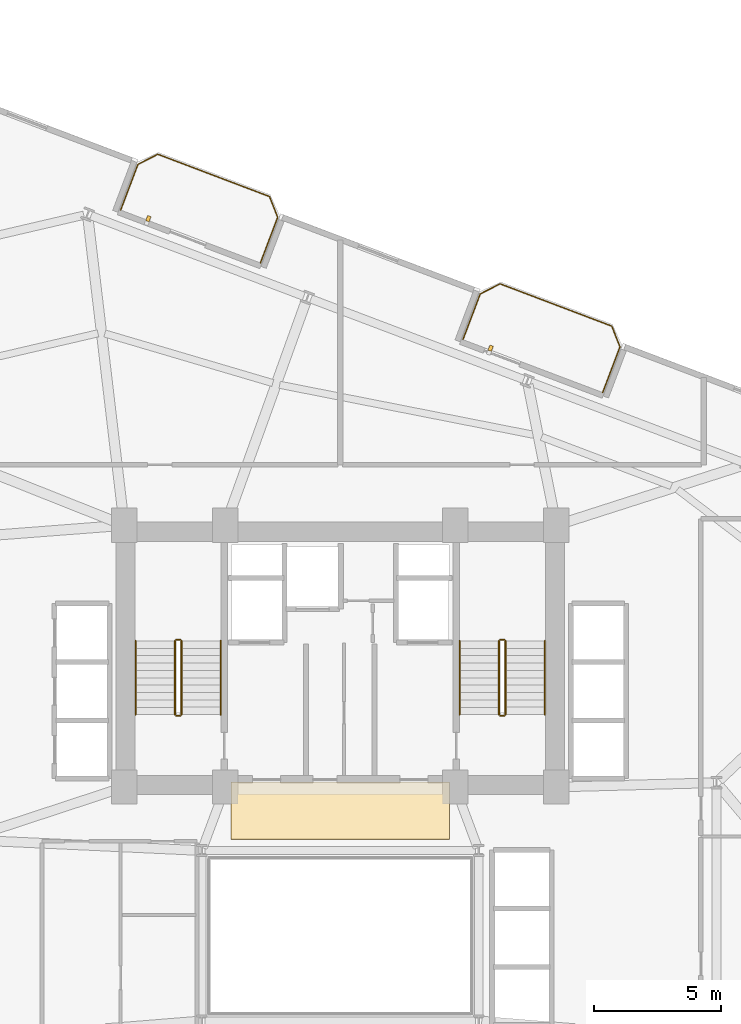
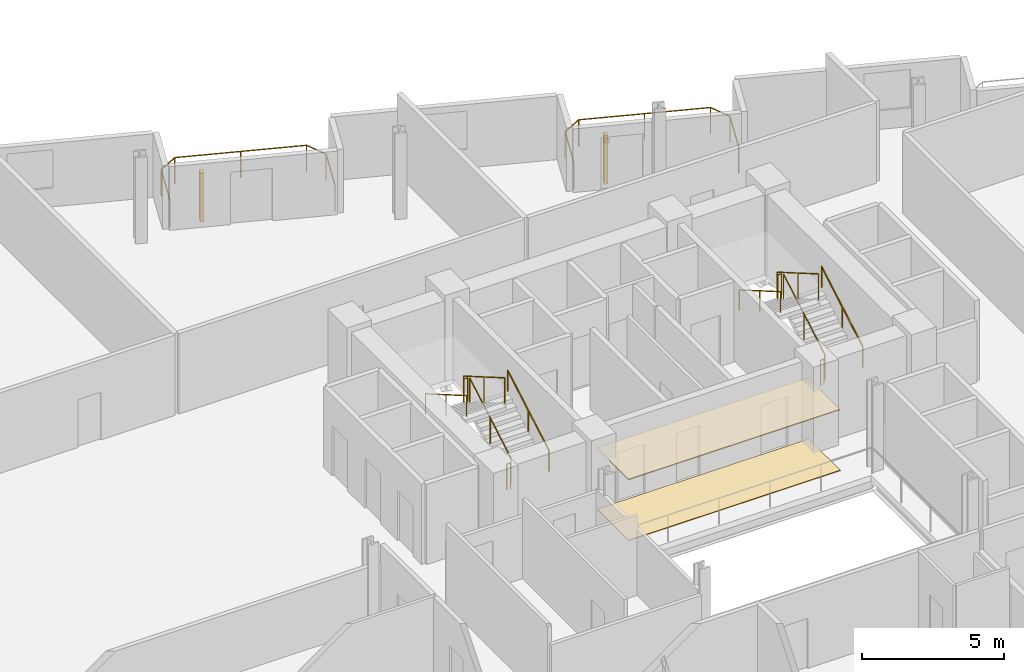
# One storey, part 24 of 25: 14 railings, 2 coverings, 2 shading devices.
"""IFC4 building model written with IfcOpenShell, lengths in metres."""

from ifc_helpers import new_model, si_unit, direction, frame, origin, origin_2d, place, context, subcontext, project, spatial, rectangle, circle, extrude, source, transform, mapped, material, layer, layer_set, type_object, element, save


model = new_model("IFC4")

# Units and contexts
model_context = context("Model", 3, precision=1e-05, world=origin(), true_north=direction((0.0, 1.0)))
body_context = subcontext(model_context, "Body", "Model", "MODEL_VIEW")
ifc_project = project(units=[si_unit("LENGTHUNIT", "METRE"), si_unit("AREAUNIT", "SQUARE_METRE"), si_unit("VOLUMEUNIT", "CUBIC_METRE"), si_unit("PLANEANGLEUNIT", "RADIAN"), si_unit("MASSUNIT", "GRAM", prefix="KILO")], contexts=[model_context])

# Site, building, storey
site_placement = place(None, origin())
site = spatial("IfcSite", under=ifc_project, at=site_placement, CompositionType="ELEMENT")
building_placement = place(site_placement, origin())
building = spatial("IfcBuilding", under=site, at=building_placement, Name="Varnelok Gate Tower", CompositionType="ELEMENT")
storey_placement = place(building_placement, frame((0.0, 0.0, 76.199951171875)))
storey = spatial("IfcBuildingStorey", under=building, at=storey_placement, Name="L18", CompositionType="ELEMENT", Elevation=76.199951171875)

# Railings
ifc_material_1 = material(Name="Low-E Laminated Double Glazing IGU", Category="glass")
railing_type_1 = type_object("IfcRailingType", Name="RL-BALC-1150", PredefinedType="BALUSTRADE", material=ifc_material_1)
railing_1_placement = place(storey_placement, frame((30.560302734375, 51.453125, 0.0)))
element("IfcRailing", 1, at=railing_1_placement, inside=storey, type_object=railing_type_1, Name="L18 North Terrace Balustrade 4", PredefinedType="BALUSTRADE", context=body_context, shape_type="SweptSolid", body=[
    extrude(circle(Radius=0.02392578125, at=origin_2d()), frame((0.0, 0.0, 1.1259765625), z_axis=(0.354006333352, 0.935243025073, 0.0), x_axis=(-0.935243025073, 0.354006333352, 0.0)), (0.0, 0.0, 1.0), 1.919921875),
    extrude(circle(Radius=0.02392578125, at=origin_2d()), frame((0.6796875, 1.795654296875, 1.1259765625), z_axis=(0.89078254773, 0.454429810487, 0.0), x_axis=(-0.454429810487, 0.89078254773, 0.0)), (0.0, 0.0, 1.0), 0.8779296875),
    extrude(circle(Radius=0.02392578125, at=origin_2d()), frame((1.461669921875, 2.194580078125, 1.1259765625), z_axis=(0.935223045203, -0.354059113314, 0.0), x_axis=(0.354059113314, 0.935223045203, 0.0)), (0.0, 0.0, 1.0), 4.699951171875),
    extrude(circle(Radius=0.02392578125, at=origin_2d()), frame((5.857177734375, 0.530517578125, 1.1259765625), z_axis=(0.366349384437, -0.930477365938, 0.0), x_axis=(0.930477365938, 0.366349384437, 0.0)), (0.0, 0.0, 1.0), 0.877685546875),
    extrude(circle(Radius=0.02392578125, at=origin_2d()), frame((6.1787109375, -0.2861328125, 1.1259765625), z_axis=(-0.354006333352, -0.935243025073, 0.0), x_axis=(0.935243025073, -0.354006333352, 0.0)), (0.0, 0.0, 1.0), 1.919921875),
    extrude(circle(Radius=0.02099609375, at=origin_2d()), origin(), (0.0, 0.0, 1.0), 1.101806640625),
    extrude(circle(Radius=0.02099609375, at=origin_2d()), frame((0.6796875, 1.795654296875, 0.0)), (0.0, 0.0, 1.0), 1.101806640625),
    extrude(circle(Radius=0.02099609375, at=origin_2d()), frame((1.461669921875, 2.194580078125, 0.0)), (0.0, 0.0, 1.0), 1.101806640625),
    extrude(circle(Radius=0.02099609375, at=origin_2d()), frame((3.659423828125, 1.362548828125, 0.0)), (0.0, 0.0, 1.0), 1.101806640625),
    extrude(circle(Radius=0.02099609375, at=origin_2d()), frame((5.857177734375, 0.530517578125, 0.0)), (0.0, 0.0, 1.0), 1.101806640625),
    extrude(circle(Radius=0.02099609375, at=origin_2d()), frame((6.1787109375, -0.2861328125, 0.0)), (0.0, 0.0, 1.0), 1.101806640625),
    extrude(circle(Radius=0.02099609375, at=origin_2d()), frame((5.4990234375, -2.081787109375, 0.0)), (0.0, 0.0, 1.0), 1.101806640625),
])
railing_2_placement = place(storey_placement, frame((44.02734375, 46.354736328125, 0.0)))
element("IfcRailing", 2, at=railing_2_placement, inside=storey, type_object=railing_type_1, Name="L18 North Terrace Balustrade 5", PredefinedType="BALUSTRADE", context=body_context, shape_type="SweptSolid", body=[
    extrude(circle(Radius=0.02392578125, at=origin_2d()), frame((0.0, 0.0, 1.1259765625), z_axis=(0.354117547856, 0.935200920819, 0.0), x_axis=(-0.935200920819, 0.354117547856, 0.0)), (0.0, 0.0, 1.0), 1.920166015625),
    extrude(circle(Radius=0.02392578125, at=origin_2d()), frame((0.679931640625, 1.795654296875, 1.1259765625), z_axis=(0.890725095116, 0.454542412686, 0.0), x_axis=(-0.454542412686, 0.890725095116, 0.0)), (0.0, 0.0, 1.0), 0.877685546875),
    extrude(circle(Radius=0.02392578125, at=origin_2d()), frame((1.461669921875, 2.194580078125, 1.1259765625), z_axis=(0.935223045203, -0.354059113314, 0.0), x_axis=(0.354059113314, 0.935223045203, 0.0)), (0.0, 0.0, 1.0), 4.699951171875),
    extrude(circle(Radius=0.02392578125, at=origin_2d()), frame((5.857177734375, 0.530517578125, 1.1259765625), z_axis=(0.366495340819, -0.93041988648, 0.0), x_axis=(0.93041988648, 0.366495340819, 0.0)), (0.0, 0.0, 1.0), 0.8779296875),
    extrude(circle(Radius=0.02392578125, at=origin_2d()), frame((6.178955078125, -0.286376953125, 1.1259765625), z_axis=(-0.354006333352, -0.935243025073, 0.0), x_axis=(0.935243025073, -0.354006333352, 0.0)), (0.0, 0.0, 1.0), 1.919921875),
    extrude(circle(Radius=0.02099609375, at=origin_2d()), origin(), (0.0, 0.0, 1.0), 1.101806640625),
    extrude(circle(Radius=0.02099609375, at=origin_2d()), frame((0.679931640625, 1.795654296875, 0.0)), (0.0, 0.0, 1.0), 1.101806640625),
    extrude(circle(Radius=0.02099609375, at=origin_2d()), frame((1.461669921875, 2.194580078125, 0.0)), (0.0, 0.0, 1.0), 1.101806640625),
    extrude(circle(Radius=0.02099609375, at=origin_2d()), frame((3.659423828125, 1.362548828125, 0.0)), (0.0, 0.0, 1.0), 1.101806640625),
    extrude(circle(Radius=0.02099609375, at=origin_2d()), frame((5.857177734375, 0.530517578125, 0.0)), (0.0, 0.0, 1.0), 1.101806640625),
    extrude(circle(Radius=0.02099609375, at=origin_2d()), frame((6.178955078125, -0.286376953125, 0.0)), (0.0, 0.0, 1.0), 1.101806640625),
    extrude(circle(Radius=0.02099609375, at=origin_2d()), frame((5.499267578125, -2.08203125, 0.0)), (0.0, 0.0, 1.0), 1.101806640625),
])
ifc_material_2 = material(Name="Brushed Stainless Steel AISI 316", Category="steel")
railing_type_2 = type_object("IfcRailingType", Name="RL-HANDRAIL-900", PredefinedType="HANDRAIL", material=ifc_material_2)
railing_3_placement = place(storey_placement, frame((34.5, 31.60009765625, 0.168212890625)))
element("IfcRailing", 3, at=railing_3_placement, inside=storey, type_object=railing_type_2, Name="L18 ST-1 stair handrail 1", PredefinedType="HANDRAIL", context=body_context, shape_type="SweptSolid", body=[
    extrude(circle(Radius=0.02392578125, at=origin_2d()), frame((0.0, 0.0, 0.8759765625), z_axis=(0.0, 0.865038774852, 0.501705010941), x_axis=(-1.0, 0.0, 0.0)), (0.0, 0.0, 1.0), 3.352294921875),
    extrude(circle(Radius=0.02099609375, at=origin_2d()), origin(), (0.0, 0.0, 1.0), 0.851806640625),
    extrude(circle(Radius=0.02099609375, at=origin_2d()), frame((0.0, 1.449951171875, 0.8408203125)), (0.0, 0.0, 1.0), 0.851806640625),
    extrude(circle(Radius=0.02099609375, at=origin_2d()), frame((0.0, 2.89990234375, 1.681884765625)), (0.0, 0.0, 1.0), 0.851806640625),
])
railing_4_placement = place(storey_placement, frame((31.14990234375, 34.5, 2.018310546875)))
element("IfcRailing", 4, at=railing_4_placement, inside=storey, type_object=railing_type_2, Name="L18 ST-1 stair handrail 2", PredefinedType="HANDRAIL", context=body_context, shape_type="SweptSolid", body=[
    extrude(circle(Radius=0.02392578125, at=origin_2d()), frame((0.0, 0.0, 0.8759765625), z_axis=(0.0, -0.86507038078, 0.501650512107), x_axis=(1.0, 0.0, 0.0)), (0.0, 0.0, 1.0), 3.352294921875),
    extrude(circle(Radius=0.02099609375, at=origin_2d()), origin(), (0.0, 0.0, 1.0), 0.851806640625),
    extrude(circle(Radius=0.02099609375, at=origin_2d()), frame((0.0, -1.449951171875, 0.8408203125)), (0.0, 0.0, 1.0), 0.851806640625),
    extrude(circle(Radius=0.02099609375, at=origin_2d()), frame((0.0, -2.89990234375, 1.681640625)), (0.0, 0.0, 1.0), 0.851806640625),
])
railing_5_placement = place(storey_placement, frame((47.25, 31.60009765625, 0.168212890625)))
element("IfcRailing", 5, at=railing_5_placement, inside=storey, type_object=railing_type_2, Name="L18 ST-2 stair handrail 1", PredefinedType="HANDRAIL", context=body_context, shape_type="SweptSolid", body=[
    extrude(circle(Radius=0.02392578125, at=origin_2d()), frame((0.0, 0.0, 0.8759765625), z_axis=(0.0, 0.865038774852, 0.501705010941), x_axis=(-1.0, 0.0, 0.0)), (0.0, 0.0, 1.0), 3.352294921875),
    extrude(circle(Radius=0.02099609375, at=origin_2d()), origin(), (0.0, 0.0, 1.0), 0.851806640625),
    extrude(circle(Radius=0.02099609375, at=origin_2d()), frame((0.0, 1.449951171875, 0.8408203125)), (0.0, 0.0, 1.0), 0.851806640625),
    extrude(circle(Radius=0.02099609375, at=origin_2d()), frame((0.0, 2.89990234375, 1.681884765625)), (0.0, 0.0, 1.0), 0.851806640625),
])
railing_6_placement = place(storey_placement, frame((43.89990234375, 34.5, 2.018310546875)))
element("IfcRailing", 6, at=railing_6_placement, inside=storey, type_object=railing_type_2, Name="L18 ST-2 stair handrail 2", PredefinedType="HANDRAIL", context=body_context, shape_type="SweptSolid", body=[
    extrude(circle(Radius=0.02392578125, at=origin_2d()), frame((0.0, 0.0, 0.8759765625), z_axis=(0.0, -0.86507038078, 0.501650512107), x_axis=(1.0, 0.0, 0.0)), (0.0, 0.0, 1.0), 3.352294921875),
    extrude(circle(Radius=0.02099609375, at=origin_2d()), origin(), (0.0, 0.0, 1.0), 0.851806640625),
    extrude(circle(Radius=0.02099609375, at=origin_2d()), frame((0.0, -1.449951171875, 0.8408203125)), (0.0, 0.0, 1.0), 0.851806640625),
    extrude(circle(Radius=0.02099609375, at=origin_2d()), frame((0.0, -2.89990234375, 1.681640625)), (0.0, 0.0, 1.0), 0.851806640625),
])
ifc_material_3 = material(Name="Galvanized Steel Grade S350GD", Category="steel")
railing_type_3 = type_object("IfcRailingType", Name="RL-STAIR-GUARD1120", PredefinedType="GUARDRAIL", material=ifc_material_3)
railing_7_placement = place(storey_placement, frame((32.949951171875, 31.60009765625, 0.168212890625)))
element("IfcRailing", 7, at=railing_7_placement, inside=storey, type_object=railing_type_3, Name="L18 ST-1 stair guard 1", PredefinedType="GUARDRAIL", context=body_context, shape_type="SweptSolid", body=[
    extrude(circle(Radius=0.02392578125, at=origin_2d()), frame((0.0, 0.0, 1.09619140625), z_axis=(0.0, 0.865038774852, 0.501705010941), x_axis=(-1.0, 0.0, 0.0)), (0.0, 0.0, 1.0), 3.352294921875),
    extrude(circle(Radius=0.02099609375, at=origin_2d()), origin(), (0.0, 0.0, 1.0), 1.072021484375),
    extrude(circle(Radius=0.02099609375, at=origin_2d()), frame((0.0, 1.449951171875, 0.8408203125)), (0.0, 0.0, 1.0), 1.072021484375),
    extrude(circle(Radius=0.02099609375, at=origin_2d()), frame((0.0, 2.89990234375, 1.681884765625)), (0.0, 0.0, 1.0), 1.072021484375),
])
railing_8_placement = place(storey_placement, frame((32.89990234375, 34.550048828125, 1.85009765625)))
element("IfcRailing", 8, at=railing_8_placement, inside=storey, type_object=railing_type_3, Name="L18 ST-1 stair guard 2", PredefinedType="GUARDRAIL", context=body_context, shape_type="SweptSolid", body=[
    extrude(circle(Radius=0.02392578125, at=origin_2d()), frame((0.0, 0.0, 1.09619140625), z_axis=(-1.0, 0.0, 0.0), x_axis=(0.0, -1.0, 0.0)), (0.0, 0.0, 1.0), 0.14990234375),
    extrude(circle(Radius=0.02099609375, at=origin_2d()), origin(), (0.0, 0.0, 1.0), 1.072021484375),
    extrude(circle(Radius=0.02099609375, at=origin_2d()), frame((-0.14990234375, 0.0, 0.0)), (0.0, 0.0, 1.0), 1.072021484375),
])
railing_9_placement = place(storey_placement, frame((32.699951171875, 34.5, 2.018310546875)))
element("IfcRailing", 9, at=railing_9_placement, inside=storey, type_object=railing_type_3, Name="L18 ST-1 stair guard 3", PredefinedType="GUARDRAIL", context=body_context, shape_type="SweptSolid", body=[
    extrude(circle(Radius=0.02392578125, at=origin_2d()), frame((0.0, 0.0, 1.09619140625), z_axis=(0.0, -0.86507038078, 0.501650512107), x_axis=(1.0, 0.0, 0.0)), (0.0, 0.0, 1.0), 3.352294921875),
    extrude(circle(Radius=0.02099609375, at=origin_2d()), origin(), (0.0, 0.0, 1.0), 1.072021484375),
    extrude(circle(Radius=0.02099609375, at=origin_2d()), frame((0.0, -1.449951171875, 0.8408203125)), (0.0, 0.0, 1.0), 1.072021484375),
    extrude(circle(Radius=0.02099609375, at=origin_2d()), frame((0.0, -2.89990234375, 1.681640625)), (0.0, 0.0, 1.0), 1.072021484375),
])
railing_10_placement = place(storey_placement, frame((32.89990234375, 31.550048828125, 0.0)))
element("IfcRailing", 10, at=railing_10_placement, inside=storey, type_object=railing_type_3, Name="L18 ST-1 stair guard 4", PredefinedType="GUARDRAIL", context=body_context, shape_type="SweptSolid", body=[
    extrude(circle(Radius=0.02392578125, at=origin_2d()), frame((0.0, 0.0, 1.09619140625), z_axis=(-1.0, 0.0, 0.0), x_axis=(0.0, -1.0, 0.0)), (0.0, 0.0, 1.0), 0.14990234375),
    extrude(circle(Radius=0.02099609375, at=origin_2d()), origin(), (0.0, 0.0, 1.0), 1.072021484375),
    extrude(circle(Radius=0.02099609375, at=origin_2d()), frame((-0.14990234375, 0.0, 0.0)), (0.0, 0.0, 1.0), 1.072021484375),
])
railing_11_placement = place(storey_placement, frame((45.699951171875, 31.60009765625, 0.168212890625)))
element("IfcRailing", 11, at=railing_11_placement, inside=storey, type_object=railing_type_3, Name="L18 ST-2 stair guard 1", PredefinedType="GUARDRAIL", context=body_context, shape_type="SweptSolid", body=[
    extrude(circle(Radius=0.02392578125, at=origin_2d()), frame((0.0, 0.0, 1.09619140625), z_axis=(0.0, 0.865038774852, 0.501705010941), x_axis=(-1.0, 0.0, 0.0)), (0.0, 0.0, 1.0), 3.352294921875),
    extrude(circle(Radius=0.02099609375, at=origin_2d()), origin(), (0.0, 0.0, 1.0), 1.072021484375),
    extrude(circle(Radius=0.02099609375, at=origin_2d()), frame((0.0, 1.449951171875, 0.8408203125)), (0.0, 0.0, 1.0), 1.072021484375),
    extrude(circle(Radius=0.02099609375, at=origin_2d()), frame((0.0, 2.89990234375, 1.681884765625)), (0.0, 0.0, 1.0), 1.072021484375),
])
railing_12_placement = place(storey_placement, frame((45.64990234375, 34.550048828125, 1.85009765625)))
element("IfcRailing", 12, at=railing_12_placement, inside=storey, type_object=railing_type_3, Name="L18 ST-2 stair guard 2", PredefinedType="GUARDRAIL", context=body_context, shape_type="SweptSolid", body=[
    extrude(circle(Radius=0.02392578125, at=origin_2d()), frame((0.0, 0.0, 1.09619140625), z_axis=(-1.0, 0.0, 0.0), x_axis=(0.0, -1.0, 0.0)), (0.0, 0.0, 1.0), 0.14990234375),
    extrude(circle(Radius=0.02099609375, at=origin_2d()), origin(), (0.0, 0.0, 1.0), 1.072021484375),
    extrude(circle(Radius=0.02099609375, at=origin_2d()), frame((-0.14990234375, 0.0, 0.0)), (0.0, 0.0, 1.0), 1.072021484375),
])
railing_13_placement = place(storey_placement, frame((45.449951171875, 34.5, 2.018310546875)))
element("IfcRailing", 13, at=railing_13_placement, inside=storey, type_object=railing_type_3, Name="L18 ST-2 stair guard 3", PredefinedType="GUARDRAIL", context=body_context, shape_type="SweptSolid", body=[
    extrude(circle(Radius=0.02392578125, at=origin_2d()), frame((0.0, 0.0, 1.09619140625), z_axis=(0.0, -0.86507038078, 0.501650512107), x_axis=(1.0, 0.0, 0.0)), (0.0, 0.0, 1.0), 3.352294921875),
    extrude(circle(Radius=0.02099609375, at=origin_2d()), origin(), (0.0, 0.0, 1.0), 1.072021484375),
    extrude(circle(Radius=0.02099609375, at=origin_2d()), frame((0.0, -1.449951171875, 0.8408203125)), (0.0, 0.0, 1.0), 1.072021484375),
    extrude(circle(Radius=0.02099609375, at=origin_2d()), frame((0.0, -2.89990234375, 1.681640625)), (0.0, 0.0, 1.0), 1.072021484375),
])
railing_14_placement = place(storey_placement, frame((45.64990234375, 31.550048828125, 0.0)))
element("IfcRailing", 14, at=railing_14_placement, inside=storey, type_object=railing_type_3, Name="L18 ST-2 stair guard 4", PredefinedType="GUARDRAIL", context=body_context, shape_type="SweptSolid", body=[
    extrude(circle(Radius=0.02392578125, at=origin_2d()), frame((0.0, 0.0, 1.09619140625), z_axis=(-1.0, 0.0, 0.0), x_axis=(0.0, -1.0, 0.0)), (0.0, 0.0, 1.0), 0.14990234375),
    extrude(circle(Radius=0.02099609375, at=origin_2d()), origin(), (0.0, 0.0, 1.0), 1.072021484375),
    extrude(circle(Radius=0.02099609375, at=origin_2d()), frame((-0.14990234375, 0.0, 0.0)), (0.0, 0.0, 1.0), 1.072021484375),
])

# Shading devices
ifc_material_4 = material(Name="Glazed Architectural Terracotta Ceramic", Category="masonry")
shading_device_type = type_object("IfcShadingDeviceType", Name="SHD-TERRA-BAGUETTE", PredefinedType="USERDEFINED", material=ifc_material_4)
shared_shape_1 = source(origin(), body_context, "Body", "SweptSolid", [
    extrude(rectangle(XDim=0.139892578125, YDim=0.219970703125, at=origin_2d()), origin(), (0.0, 0.0, 1.0), 2.10009765625),
])
for number, where, z_axis, x_axis, name in (
    (15, (31.651123046875, 51.114990234375, 0.10009765625), (0.0, 0.0, 1.0), (0.935221751401, -0.354062530786, 0.0), "L18 Terracotta Ceramic Baguette Sunscreen 4.1"),
    (16, (45.118408203125, 46.0166015625, 0.10009765625), (0.0, 0.0, 1.0), (0.935221751401, -0.354062530786, 0.0), "L18 Terracotta Ceramic Baguette Sunscreen 5.1"),
):
    element("IfcShadingDevice", number, at=place(storey_placement, frame(where, z_axis=z_axis, x_axis=x_axis)), inside=storey, type_object=shading_device_type, Name=name, ObjectType="BAGUETTE", PredefinedType="USERDEFINED", context=body_context, shape_type="MappedRepresentation", body=[
        mapped(shared_shape_1, transform((0.0, 0.0, 0.0), scale=1.0)),
    ])

# Coverings
ifc_material_5 = material(Name="Honed Travertine Stone Flooring", Category="masonry")
ifc_layer_1 = layer(ifc_material_5, 0.02490234375)
ifc_layer_set_1 = layer_set([ifc_layer_1], Name="Honed Travertine Stone Flooring")
covering_type_1 = type_object("IfcCoveringType", Name="COV-FLOR-STONE", PredefinedType="FLOORING", material=ifc_layer_set_1)
shared_shape_2 = source(origin(), body_context, "Body", "SweptSolid", [
    extrude(rectangle(XDim=8.60009765625, YDim=2.219970703125, at=origin_2d()), origin(), (0.0, 0.0, 1.0), 0.02490234375),
])
covering_1_placement = place(storey_placement, frame((39.199951171875, 27.800048828125, 0.0), z_axis=(0.0, 0.0, 1.0), x_axis=(1.0, 0.0, 0.0)))
element("IfcCovering", 17, at=covering_1_placement, inside=storey, type_object=covering_type_1, Name="L18 Core Gallery Stone Flooring", PredefinedType="FLOORING", context=body_context, shape_type="MappedRepresentation", body=[
    mapped(shared_shape_2, transform((0.0, 0.0, 0.0), scale=1.0)),
])
ifc_material_6 = material(Name="Mineral Fiber Acoustic Ceiling Tile")
ifc_layer_2 = layer(ifc_material_6, 0.0400390625)
ifc_layer_set_2 = layer_set([ifc_layer_2], Name="Mineral Fiber Acoustic Ceiling Tile")
covering_type_2 = type_object("IfcCoveringType", Name="COV-CEIL-ACOUST", PredefinedType="CEILING", material=ifc_layer_set_2)
shared_shape_3 = source(origin(), body_context, "Body", "SweptSolid", [
    extrude(rectangle(XDim=8.60009765625, YDim=2.239990234375, at=origin_2d()), origin(), (0.0, 0.0, 1.0), 0.0400390625),
])
covering_2_placement = place(storey_placement, frame((39.199951171875, 27.820068359375, 2.60009765625), z_axis=(0.0, 0.0, 1.0), x_axis=(1.0, 0.0, 0.0)))
element("IfcCovering", 18, at=covering_2_placement, inside=storey, type_object=covering_type_2, Name="L18 Core Gallery Acoustic Ceiling", PredefinedType="CEILING", context=body_context, shape_type="MappedRepresentation", body=[
    mapped(shared_shape_3, transform((0.0, 0.0, 0.0), scale=1.0)),
])

save(model, "model.ifc")
